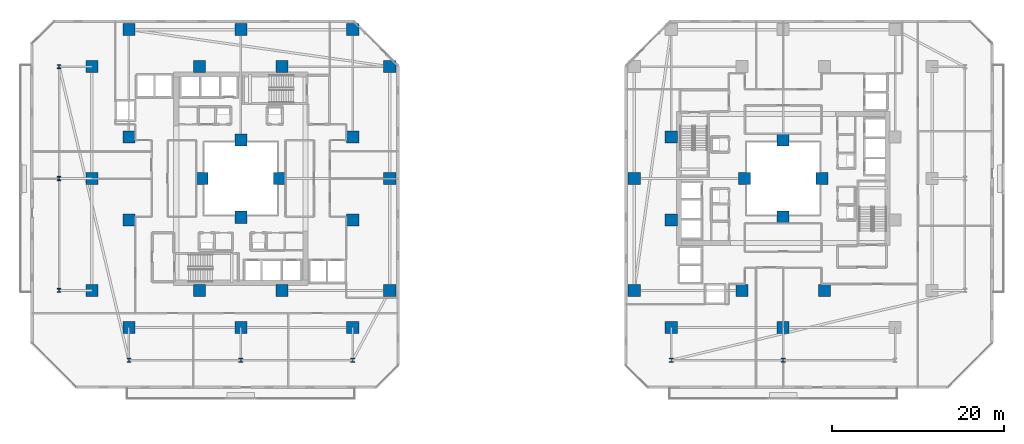
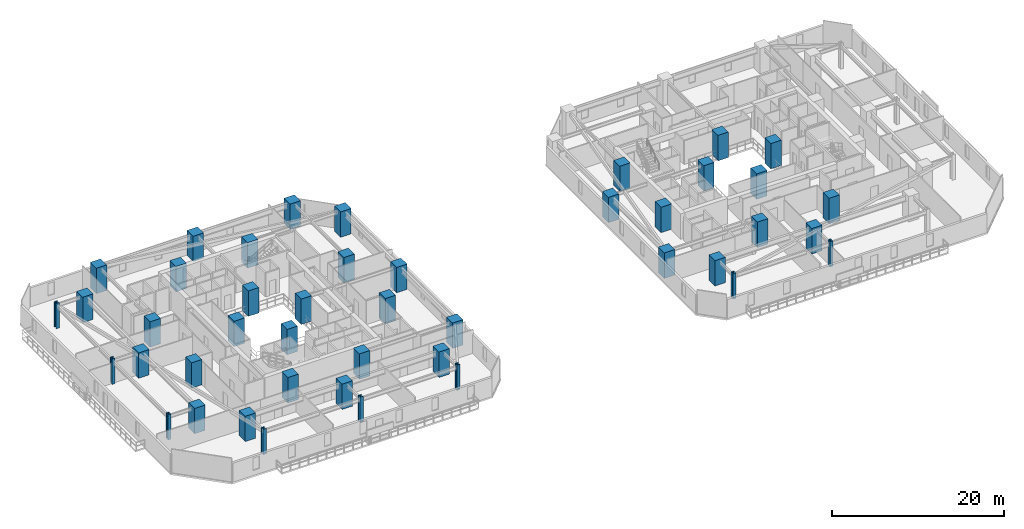
# One storey, part 1 of 33: 44 columns.
"""IFC4 building model written with IfcOpenShell, lengths in metres."""

from ifc_helpers import new_model, si_unit, direction, frame, origin, origin_2d, place, context, subcontext, project, spatial, rectangle, i_section, extrude, material, material_profile, profile_set, type_object, element, save


model = new_model("IFC4")

# Units and contexts
model_context = context("Model", 3, precision=1e-05, world=origin(), true_north=direction((0.0, 1.0)))
body_context = subcontext(model_context, "Body", "Model", "MODEL_VIEW")
ifc_project = project(units=[si_unit("LENGTHUNIT", "METRE"), si_unit("AREAUNIT", "SQUARE_METRE"), si_unit("VOLUMEUNIT", "CUBIC_METRE"), si_unit("PLANEANGLEUNIT", "RADIAN"), si_unit("MASSUNIT", "GRAM", prefix="KILO")], contexts=[model_context])

# Site, building, storey
site_placement = place(None, origin())
site = spatial("IfcSite", under=ifc_project, at=site_placement, CompositionType="ELEMENT")
building_placement = place(site_placement, origin())
building = spatial("IfcBuilding", under=site, at=building_placement, Name="Thornwick Lancets Civic Towers", CompositionType="ELEMENT")
storey_placement = place(building_placement, frame((0.0, 0.0, 38.699951171875)))
storey = spatial("IfcBuildingStorey", under=building, at=storey_placement, Name="L09", CompositionType="ELEMENT", Elevation=38.699951171875)

# Columns
ifc_material_1 = material(Name="Concrete C60/75", Category="concrete")
ifc_material_profile_1 = material_profile(ifc_material_1, rectangle(XDim=1.39990234375, YDim=1.39990234375, at=origin_2d()), Name="RC 1400x1400")
ifc_profile_set_1 = profile_set([ifc_material_profile_1], Name="Concrete C60/75")
column_type_1 = type_object("IfcColumnType", Name="COL_RC_1400", PredefinedType="COLUMN", material=ifc_profile_set_1)
for number, where, z_axis, x_axis, name in (
    (1, (12.5, 9.699951171875, 0.0), (0.0, 0.0, 1.0), (1.0, 0.0, 0.0), "L09 Spine Mega-Column A01"),
    (2, (25.5, 9.699951171875, 0.0), (0.0, 0.0, 1.0), (1.0, 0.0, 0.0), "L09 Spine Mega-Column A02"),
    (3, (38.5, 9.699951171875, 0.0), (0.0, 0.0, 1.0), (1.0, 0.0, 0.0), "L09 Spine Mega-Column A03"),
    (4, (42.800048828125, 14.0, 0.0), (0.0, 0.0, 1.0), (1.0, 0.0, 0.0), "L09 Spine Mega-Column A04"),
    (5, (42.800048828125, 27.0, 0.0), (0.0, 0.0, 1.0), (1.0, 0.0, 0.0), "L09 Spine Mega-Column A05"),
    (6, (42.800048828125, 40.0, 0.0), (0.0, 0.0, 1.0), (1.0, 0.0, 0.0), "L09 Spine Mega-Column A06"),
    (7, (12.5, 44.300048828125, 0.0), (0.0, 0.0, 1.0), (1.0, 0.0, 0.0), "L09 Spine Mega-Column A07"),
    (8, (25.5, 44.300048828125, 0.0), (0.0, 0.0, 1.0), (1.0, 0.0, 0.0), "L09 Spine Mega-Column A08"),
    (9, (38.5, 44.300048828125, 0.0), (0.0, 0.0, 1.0), (1.0, 0.0, 0.0), "L09 Spine Mega-Column A09"),
    (10, (8.199951171875, 14.0, 0.0), (0.0, 0.0, 1.0), (1.0, 0.0, 0.0), "L09 Spine Mega-Column A10"),
    (11, (8.199951171875, 27.0, 0.0), (0.0, 0.0, 1.0), (1.0, 0.0, 0.0), "L09 Spine Mega-Column A11"),
    (12, (8.199951171875, 40.0, 0.0), (0.0, 0.0, 1.0), (1.0, 0.0, 0.0), "L09 Spine Mega-Column A12"),
    (13, (12.5, 22.199951171875, 0.0), (0.0, 0.0, 1.0), (1.0, 0.0, 0.0), "L09 Spine Mega-Column A13"),
    (14, (38.5, 22.199951171875, 0.0), (0.0, 0.0, 1.0), (1.0, 0.0, 0.0), "L09 Spine Mega-Column A14"),
    (15, (12.5, 31.800048828125, 0.0), (0.0, 0.0, 1.0), (1.0, 0.0, 0.0), "L09 Spine Mega-Column A15"),
    (16, (38.5, 31.800048828125, 0.0), (0.0, 0.0, 1.0), (1.0, 0.0, 0.0), "L09 Spine Mega-Column A16"),
    (17, (20.699951171875, 14.0, 0.0), (0.0, 0.0, 1.0), (1.0, 0.0, 0.0), "L09 Spine Mega-Column A17"),
    (18, (30.300048828125, 14.0, 0.0), (0.0, 0.0, 1.0), (1.0, 0.0, 0.0), "L09 Spine Mega-Column A18"),
    (19, (20.699951171875, 40.0, 0.0), (0.0, 0.0, 1.0), (1.0, 0.0, 0.0), "L09 Spine Mega-Column A19"),
    (20, (30.300048828125, 40.0, 0.0), (0.0, 0.0, 1.0), (1.0, 0.0, 0.0), "L09 Spine Mega-Column A20"),
    (21, (25.5, 22.5, 0.0), (0.0, 0.0, 1.0), (1.0, 0.0, 0.0), "L09 Spine Mega-Column A21"),
    (22, (25.5, 31.5, 0.0), (0.0, 0.0, 1.0), (1.0, 0.0, 0.0), "L09 Spine Mega-Column A22"),
    (23, (21.0, 27.0, 0.0), (0.0, 0.0, 1.0), (1.0, 0.0, 0.0), "L09 Spine Mega-Column A23"),
    (24, (30.0, 27.0, 0.0), (0.0, 0.0, 1.0), (1.0, 0.0, 0.0), "L09 Spine Mega-Column A24"),
    (25, (71.199951171875, 14.0, 0.0), (0.0, 0.0, 1.0), (1.0, 0.0, 0.0), "L09 Spine Mega-Column B07"),
    (26, (71.199951171875, 27.0, 0.0), (0.0, 0.0, 1.0), (1.0, 0.0, 0.0), "L09 Spine Mega-Column B08"),
    (27, (88.5, 9.699951171875, 0.0), (0.0, 0.0, 1.0), (1.0, 0.0, 0.0), "L09 Spine Mega-Column B11"),
    (28, (75.5, 9.699951171875, 0.0), (0.0, 0.0, 1.0), (1.0, 0.0, 0.0), "L09 Spine Mega-Column B12"),
    (29, (93.300048828125, 14.0, 0.0), (0.0, 0.0, 1.0), (1.0, 0.0, 0.0), "L09 Spine Mega-Column B13"),
    (30, (83.699951171875, 14.0, 0.0), (0.0, 0.0, 1.0), (1.0, 0.0, 0.0), "L09 Spine Mega-Column B15"),
    (31, (75.5, 22.199951171875, 0.0), (0.0, 0.0, 1.0), (1.0, 0.0, 0.0), "L09 Spine Mega-Column B19"),
    (32, (75.5, 31.800048828125, 0.0), (0.0, 0.0, 1.0), (1.0, 0.0, 0.0), "L09 Spine Mega-Column B20"),
    (33, (93.0, 27.0, 0.0), (0.0, 0.0, 1.0), (1.0, 0.0, 0.0), "L09 Spine Mega-Column B21"),
    (34, (84.0, 27.0, 0.0), (0.0, 0.0, 1.0), (1.0, 0.0, 0.0), "L09 Spine Mega-Column B22"),
    (35, (88.5, 22.5, 0.0), (0.0, 0.0, 1.0), (1.0, 0.0, 0.0), "L09 Spine Mega-Column B23"),
    (36, (88.5, 31.5, 0.0), (0.0, 0.0, 1.0), (1.0, 0.0, 0.0), "L09 Spine Mega-Column B24"),
):
    element("IfcColumn", number, at=place(storey_placement, frame(where, z_axis=z_axis, x_axis=x_axis)), inside=storey, type_object=column_type_1, Name=name, PredefinedType="COLUMN", context=body_context, shape_type="SweptSolid", body=[
        extrude(rectangle(XDim=1.39990234375, YDim=1.39990234375, at=origin_2d()), origin(), (0.0, 0.0, 1.0), 3.60009765625),
    ])
ifc_material_2 = material(Name="Steel S460M", Category="steel")
ifc_material_profile_2 = material_profile(ifc_material_2, i_section(OverallWidth=0.424072265625, OverallDepth=0.474609375, WebThickness=0.047607421875, FlangeThickness=0.076904296875, FilletRadius=0.01513671875, at=origin_2d()), Name="UKC 356x406x634")
ifc_profile_set_2 = profile_set([ifc_material_profile_2], Name="Steel S460M")
column_type_2 = type_object("IfcColumnType", Name="COL_UKC_634", PredefinedType="COLUMN", material=ifc_profile_set_2)
for number, where, z_axis, x_axis, name in (
    (37, (12.5, 5.89990234375, 0.0), (0.0, 0.0, 1.0), (1.0, 0.0, 0.0), "L09 Block Perimeter Column A01"),
    (38, (25.5, 5.89990234375, 0.0), (0.0, 0.0, 1.0), (1.0, 0.0, 0.0), "L09 Block Perimeter Column A02"),
    (39, (38.5, 5.89990234375, 0.0), (0.0, 0.0, 1.0), (1.0, 0.0, 0.0), "L09 Block Perimeter Column A03"),
    (40, (4.39990234375, 14.0, 0.0), (0.0, 0.0, 1.0), (1.0, 0.0, 0.0), "L09 Block Perimeter Column A10"),
    (41, (4.39990234375, 27.0, 0.0), (0.0, 0.0, 1.0), (1.0, 0.0, 0.0), "L09 Block Perimeter Column A11"),
    (42, (4.39990234375, 40.0, 0.0), (0.0, 0.0, 1.0), (1.0, 0.0, 0.0), "L09 Block Perimeter Column A12"),
    (43, (88.5, 5.89990234375, 0.0), (0.0, 0.0, 1.0), (1.0, 0.0, 0.0), "L09 Block Perimeter Column B11"),
    (44, (75.5, 5.89990234375, 0.0), (0.0, 0.0, 1.0), (1.0, 0.0, 0.0), "L09 Block Perimeter Column B12"),
):
    element("IfcColumn", number, at=place(storey_placement, frame(where, z_axis=z_axis, x_axis=x_axis)), inside=storey, type_object=column_type_2, Name=name, PredefinedType="COLUMN", context=body_context, shape_type="SweptSolid", body=[
        extrude(i_section(OverallWidth=0.424072265625, OverallDepth=0.474609375, WebThickness=0.047607421875, FlangeThickness=0.076904296875, FilletRadius=0.01513671875, at=origin_2d()), origin(), (0.0, 0.0, 1.0), 3.60009765625),
    ])

save(model, "model.ifc")
